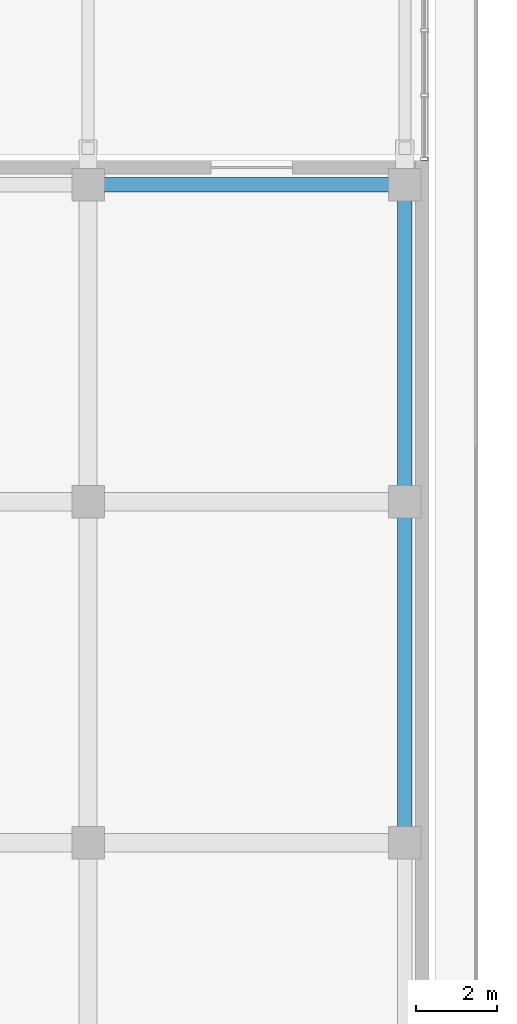
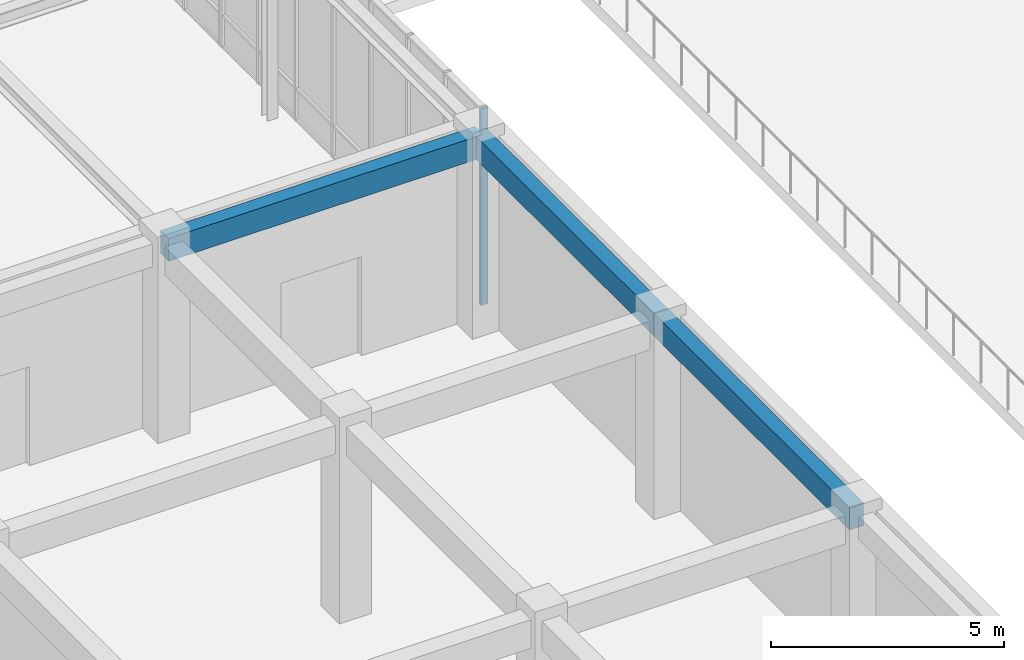
# One storey, part 15 of 122: 3 beams, 1 member, 1 element without a shape of its own.
"""IFC4 building model written with IfcOpenShell, lengths in metres."""

from ifc_helpers import new_model, si_unit, direction, frame, origin, origin_2d, place, context, subcontext, project, spatial, rectangle, hollow_rectangle, extrude, material, layer, layer_set, material_profile, profile_set, type_object, element, aggregate, save


model = new_model("IFC4")

# Units and contexts
model_context = context("Model", 3, precision=1e-05, world=origin(), true_north=direction((0.0, 1.0)))
body_context = subcontext(model_context, "Body", "Model", "MODEL_VIEW")
ifc_project = project(units=[si_unit("LENGTHUNIT", "METRE"), si_unit("AREAUNIT", "SQUARE_METRE"), si_unit("VOLUMEUNIT", "CUBIC_METRE"), si_unit("PLANEANGLEUNIT", "RADIAN"), si_unit("MASSUNIT", "GRAM", prefix="KILO")], contexts=[model_context])

# Site, building, storey
site_placement = place(None, origin())
site = spatial("IfcSite", under=ifc_project, at=site_placement, CompositionType="ELEMENT")
building_placement = place(site_placement, origin())
building = spatial("IfcBuilding", under=site, at=building_placement, Name="Zayran Congress Hotel", CompositionType="ELEMENT")
storey_placement = place(building_placement, origin())
storey = spatial("IfcBuildingStorey", under=building, at=storey_placement, Name="L00", CompositionType="ELEMENT", Elevation=0.0)

# Beams
ifc_material_1 = material(Name="Concrete C40/50", Category="concrete")
ifc_material_profile_1 = material_profile(ifc_material_1, rectangle(XDim=0.35009765625, YDim=0.60009765625, at=origin_2d()), Name="RC 350x600")
ifc_profile_set_1 = profile_set([ifc_material_profile_1], Name="Concrete C40/50")
beam_type = type_object("IfcBeamType", Name="TP-SP-01", PredefinedType="SPANDREL", material=ifc_profile_set_1)
beam_1_placement = place(storey_placement, frame((84.0, 33.39990234375, 4.800048828125), z_axis=(1.0, 0.0, 0.0), x_axis=(0.0, 1.0, 0.0)))
element("IfcBeam", 1, at=beam_1_placement, inside=storey, type_object=beam_type, Name="BM-V5-L00-1633", PredefinedType="SPANDREL", context=body_context, shape_type="SweptSolid", body=[
    extrude(rectangle(XDim=0.35009765625, YDim=0.60009765625, at=origin_2d()), origin(), (0.0, 0.0, 1.0), 7.800048828125),
])
beam_2_placement = place(storey_placement, frame((91.800048828125, 17.199951171875, 4.800048828125), z_axis=(0.0, 1.0, 0.0), x_axis=(-1.0, 0.0, 0.0)))
element("IfcBeam", 2, at=beam_2_placement, inside=storey, type_object=beam_type, Name="BM-V5-L00-1674", PredefinedType="SPANDREL", context=body_context, shape_type="SweptSolid", body=[
    extrude(rectangle(XDim=0.35009765625, YDim=0.60009765625, at=origin_2d()), origin(), (0.0, 0.0, 1.0), 8.400146484375),
])
beam_3_placement = place(storey_placement, frame((91.800048828125, 25.60009765625, 4.800048828125), z_axis=(0.0, 1.0, 0.0), x_axis=(-1.0, 0.0, 0.0)))
element("IfcBeam", 3, at=beam_3_placement, inside=storey, type_object=beam_type, Name="BM-V5-L00-1675", PredefinedType="SPANDREL", context=body_context, shape_type="SweptSolid", body=[
    extrude(rectangle(XDim=0.35009765625, YDim=0.60009765625, at=origin_2d()), origin(), (0.0, 0.0, 1.0), 7.7998046875),
])

# Curtain wall, member
ifc_material_2 = material(Name="Anodised aluminium and low-E insulated glass", Category="aluminium")
ifc_layer = layer(ifc_material_2, 0.179931640625)
ifc_layer_set = layer_set([ifc_layer], Name="Anodised aluminium and low-E insulated glass")
curtain_wall_type = type_object("IfcCurtainWallType", Name="CW-BR2-L00-CW-BR2-11200-5150", PredefinedType="USERDEFINED", material=ifc_layer_set)
curtain_wall_placement = place(storey_placement, origin())
curtain_wall = element("IfcCurtainWall", 4, at=curtain_wall_placement, inside=storey, type_object=curtain_wall_type, Name="CW-BR2E-L00-0", ObjectType="CURTAIN WALL", PredefinedType="USERDEFINED")
ifc_material_3 = material(Name="Anodised aluminium framing", Category="aluminium")
ifc_material_profile_2 = material_profile(ifc_material_3, hollow_rectangle(XDim=0.080078125, YDim=0.179931640625, WallThickness=0.0048828125, at=origin_2d()), Name="RHS 180x80x5")
ifc_profile_set_2 = profile_set([ifc_material_profile_2], Name="Anodised aluminium framing")
member_type = type_object("IfcMemberType", Name="TP-CWM-01", PredefinedType="MULLION", material=ifc_profile_set_2)
member_placement = place(storey_placement, frame((92.280029296875, 34.0400390625, 0.0), z_axis=(0.0, 0.0, 1.0), x_axis=(0.0, 1.0, 0.0)))
member = element("IfcMember", 5, at=member_placement, type_object=member_type, Name="CW-BR2E-L00-0-M00", PredefinedType="MULLION", context=body_context, shape_type="SweptSolid", body=[
    extrude(hollow_rectangle(XDim=0.080078125, YDim=0.179931640625, WallThickness=0.0048828125, at=origin_2d()), origin(), (0.0, 0.0, 1.0), 5.14990234375),
])
aggregate(curtain_wall, [member])

save(model, "model.ifc")
